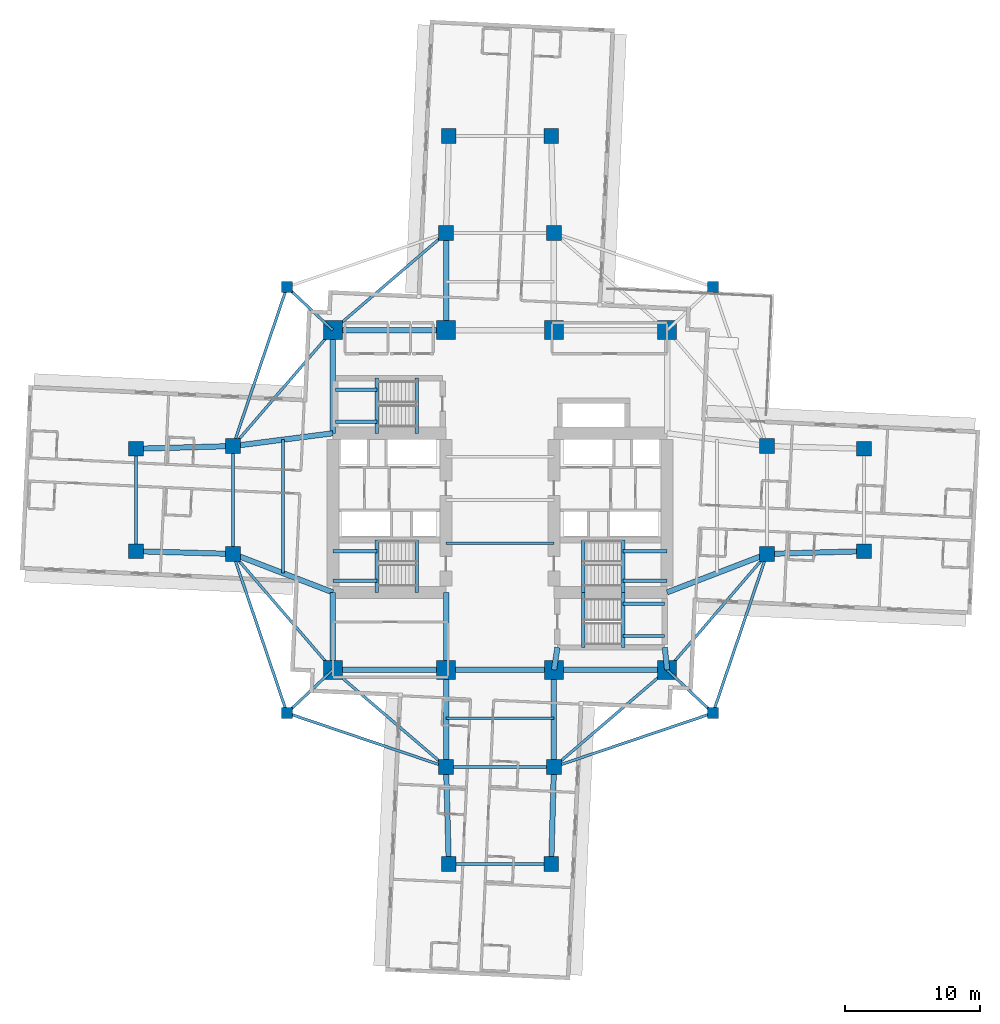
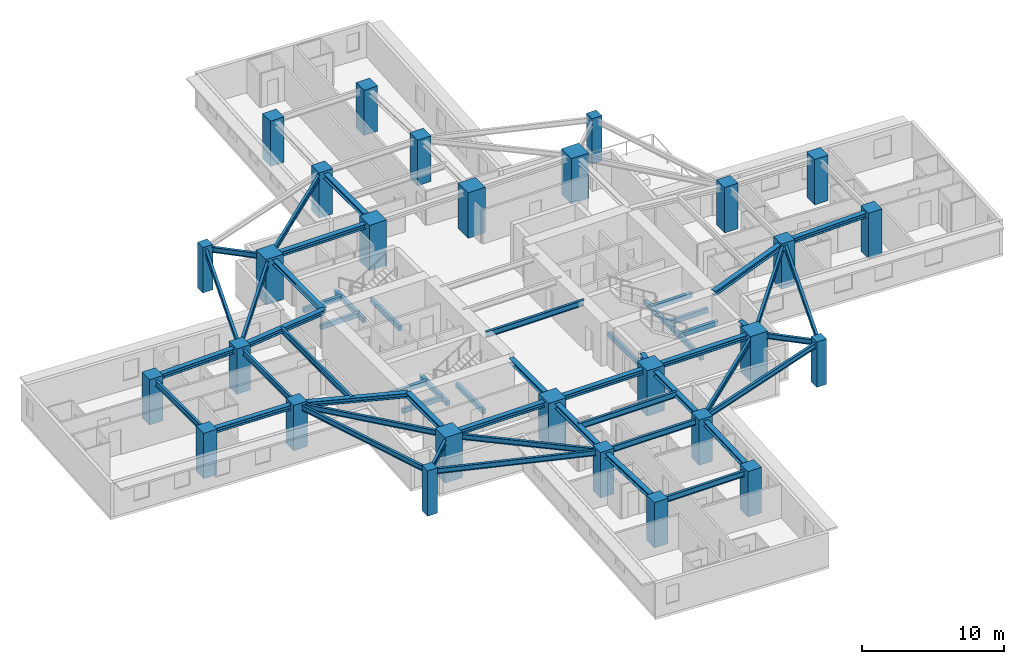
# One storey, part 1 of 14: 57 beams, 28 columns.
"""IFC4 building model written with IfcOpenShell, lengths in metres."""

from ifc_helpers import new_model, si_unit, direction, frame, origin, origin_2d, place, context, subcontext, project, spatial, rectangle, i_section, extrude, material, material_profile, profile_set, type_object, element, save


model = new_model("IFC4")

# Units and contexts
model_context = context("Model", 3, precision=1e-05, world=origin(), true_north=direction((0.0, 1.0)))
body_context = subcontext(model_context, "Body", "Model", "MODEL_VIEW")
ifc_project = project(units=[si_unit("LENGTHUNIT", "METRE"), si_unit("AREAUNIT", "SQUARE_METRE"), si_unit("VOLUMEUNIT", "CUBIC_METRE"), si_unit("PLANEANGLEUNIT", "RADIAN"), si_unit("MASSUNIT", "GRAM", prefix="KILO")], contexts=[model_context])

# Site, building, storey
site_placement = place(None, origin())
site = spatial("IfcSite", under=ifc_project, at=site_placement, CompositionType="ELEMENT")
building_placement = place(site_placement, origin())
building = spatial("IfcBuilding", under=site, at=building_placement, Name="Qingluan Cross Belvedere", CompositionType="ELEMENT")
storey_placement = place(building_placement, frame((0.0, 0.0, 75.60009765625)))
storey = spatial("IfcBuildingStorey", under=building, at=storey_placement, Name="L19", CompositionType="ELEMENT", Elevation=75.60009765625)

# Columns
ifc_material_1 = material(Name="Concrete C60", Category="concrete")
ifc_material_profile_1 = material_profile(ifc_material_1, rectangle(XDim=1.10009765625, YDim=1.10009765625, at=origin_2d()), Name="RC1100x1100")
ifc_profile_set_1 = profile_set([ifc_material_profile_1], Name="Concrete C60")
column_type_1 = type_object("IfcColumnType", Name="Column_RC1100x1100", PredefinedType="COLUMN", material=ifc_profile_set_1)
for number, where, z_axis, x_axis, name in (
    (1, (19.800048828125, -4.0, 0.0), (0.0, 0.0, 1.0), (1.0, 0.0, 0.0), "Arm column L19-EIA"),
    (2, (19.800048828125, 4.0, 0.0), (0.0, 0.0, 1.0), (1.0, 0.0, 0.0), "Arm column L19-EIB"),
    (3, (-19.800048828125, -4.0, 0.0), (0.0, 0.0, 1.0), (1.0, 0.0, 0.0), "Arm column L19-WIA"),
    (4, (-19.800048828125, 4.0, 0.0), (0.0, 0.0, 1.0), (1.0, 0.0, 0.0), "Arm column L19-WIB"),
    (5, (-4.0, -19.800048828125, 0.0), (0.0, 0.0, 1.0), (1.0, 0.0, 0.0), "Arm column L19-SIA"),
    (6, (4.0, -19.800048828125, 0.0), (0.0, 0.0, 1.0), (1.0, 0.0, 0.0), "Arm column L19-SIB"),
    (7, (-4.0, 19.800048828125, 0.0), (0.0, 0.0, 1.0), (1.0, 0.0, 0.0), "Arm column L19-NIA"),
    (8, (4.0, 19.800048828125, 0.0), (0.0, 0.0, 1.0), (1.0, 0.0, 0.0), "Arm column L19-NIB"),
    (9, (27.0, -3.800048828125, 0.0), (0.0, 0.0, 1.0), (1.0, 0.0, 0.0), "Arm column L19-EOA"),
    (10, (27.0, 3.800048828125, 0.0), (0.0, 0.0, 1.0), (1.0, 0.0, 0.0), "Arm column L19-EOB"),
    (11, (-27.0, -3.800048828125, 0.0), (0.0, 0.0, 1.0), (1.0, 0.0, 0.0), "Arm column L19-WOA"),
    (12, (-27.0, 3.800048828125, 0.0), (0.0, 0.0, 1.0), (1.0, 0.0, 0.0), "Arm column L19-WOB"),
    (13, (-3.800048828125, -27.0, 0.0), (0.0, 0.0, 1.0), (1.0, 0.0, 0.0), "Arm column L19-SOA"),
    (14, (3.800048828125, -27.0, 0.0), (0.0, 0.0, 1.0), (1.0, 0.0, 0.0), "Arm column L19-SOB"),
    (15, (-3.800048828125, 27.0, 0.0), (0.0, 0.0, 1.0), (1.0, 0.0, 0.0), "Arm column L19-NOA"),
    (16, (3.800048828125, 27.0, 0.0), (0.0, 0.0, 1.0), (1.0, 0.0, 0.0), "Arm column L19-NOB"),
):
    element("IfcColumn", number, at=place(storey_placement, frame(where, z_axis=z_axis, x_axis=x_axis)), inside=storey, type_object=column_type_1, Name=name, PredefinedType="COLUMN", context=body_context, shape_type="SweptSolid", body=[
        extrude(rectangle(XDim=1.10009765625, YDim=1.10009765625, at=origin_2d()), origin(), (0.0, 0.0, 1.0), 3.89990234375),
    ])
ifc_material_2 = material(Name="Concrete C70", Category="concrete")
ifc_material_profile_2 = material_profile(ifc_material_2, rectangle(XDim=1.39990234375, YDim=1.39990234375, at=origin_2d()), Name="RC1400x1400")
ifc_profile_set_2 = profile_set([ifc_material_profile_2], Name="Concrete C70")
column_type_2 = type_object("IfcColumnType", Name="Column_RC1400x1400", PredefinedType="COLUMN", material=ifc_profile_set_2)
for number, where, z_axis, x_axis, name in (
    (17, (-12.39990234375, -12.60009765625, 0.0), (0.0, 0.0, 1.0), (1.0, 0.0, 0.0), "Hub column L19-HC1"),
    (18, (12.39990234375, -12.60009765625, 0.0), (0.0, 0.0, 1.0), (1.0, 0.0, 0.0), "Hub column L19-HC2"),
    (19, (12.39990234375, 12.60009765625, 0.0), (0.0, 0.0, 1.0), (1.0, 0.0, 0.0), "Hub column L19-HC3"),
    (20, (-12.39990234375, 12.60009765625, 0.0), (0.0, 0.0, 1.0), (1.0, 0.0, 0.0), "Hub column L19-HC4"),
    (21, (-4.0, -12.60009765625, 0.0), (0.0, 0.0, 1.0), (1.0, 0.0, 0.0), "Hub column L19-HC5"),
    (22, (4.0, -12.60009765625, 0.0), (0.0, 0.0, 1.0), (1.0, 0.0, 0.0), "Hub column L19-HC6"),
    (23, (4.0, 12.60009765625, 0.0), (0.0, 0.0, 1.0), (1.0, 0.0, 0.0), "Hub column L19-HC7"),
    (24, (-4.0, 12.60009765625, 0.0), (0.0, 0.0, 1.0), (1.0, 0.0, 0.0), "Hub column L19-HC8"),
):
    element("IfcColumn", number, at=place(storey_placement, frame(where, z_axis=z_axis, x_axis=x_axis)), inside=storey, type_object=column_type_2, Name=name, PredefinedType="COLUMN", context=body_context, shape_type="SweptSolid", body=[
        extrude(rectangle(XDim=1.39990234375, YDim=1.39990234375, at=origin_2d()), origin(), (0.0, 0.0, 1.0), 3.89990234375),
    ])
ifc_material_3 = material(Name="Concrete C50", Category="concrete")
ifc_material_profile_3 = material_profile(ifc_material_3, rectangle(XDim=0.800048828125, YDim=0.800048828125, at=origin_2d()), Name="RC800x800")
ifc_profile_set_3 = profile_set([ifc_material_profile_3], Name="Concrete C50")
column_type_3 = type_object("IfcColumnType", Name="Column_RC800x800", PredefinedType="COLUMN", material=ifc_profile_set_3)
for number, where, z_axis, x_axis, name in (
    (25, (15.800048828125, 15.800048828125, 0.0), (0.0, 0.0, 1.0), (1.0, 0.0, 0.0), "Corner column L19-RNE"),
    (26, (-15.800048828125, 15.800048828125, 0.0), (0.0, 0.0, 1.0), (1.0, 0.0, 0.0), "Corner column L19-RNW"),
    (27, (-15.800048828125, -15.800048828125, 0.0), (0.0, 0.0, 1.0), (1.0, 0.0, 0.0), "Corner column L19-RSW"),
    (28, (15.800048828125, -15.800048828125, 0.0), (0.0, 0.0, 1.0), (1.0, 0.0, 0.0), "Corner column L19-RSE"),
):
    element("IfcColumn", number, at=place(storey_placement, frame(where, z_axis=z_axis, x_axis=x_axis)), inside=storey, type_object=column_type_3, Name=name, PredefinedType="COLUMN", context=body_context, shape_type="SweptSolid", body=[
        extrude(rectangle(XDim=0.800048828125, YDim=0.800048828125, at=origin_2d()), origin(), (0.0, 0.0, 1.0), 3.89990234375),
    ])

# Beams
ifc_material_4 = material(Name="Concrete C45", Category="concrete")
ifc_material_profile_4 = material_profile(ifc_material_4, rectangle(XDim=0.25, YDim=0.39990234375, at=origin_2d()), Name="RC250x400")
ifc_profile_set_4 = profile_set([ifc_material_profile_4], Name="Concrete C45")
beam_type_1 = type_object("IfcBeamType", Name="RC_Lintel_RC250x400", PredefinedType="LINTEL", material=ifc_profile_set_4)
for number, where, z_axis, x_axis, name in (
    (29, (-6.179931640625, -6.85009765625, -0.2001953125), (0.0, 1.0, 0.0), (-1.0, 0.0, 0.0), "Stair ST1 landing beam L19"),
    (30, (6.179931640625, -6.85009765625, -0.2001953125), (0.0, 1.0, 0.0), (-1.0, 0.0, 0.0), "Stair ST2 landing beam L19"),
):
    element("IfcBeam", number, at=place(storey_placement, frame(where, z_axis=z_axis, x_axis=x_axis)), inside=storey, type_object=beam_type_1, Name=name, PredefinedType="LINTEL", context=body_context, shape_type="SweptSolid", body=[
        extrude(rectangle(XDim=0.25, YDim=0.39990234375, at=origin_2d()), origin(), (0.0, 0.0, 1.0), 3.89013671875),
    ])
beam_1_placement = place(storey_placement, frame((-6.179931640625, 4.949951171875, -0.2001953125), z_axis=(0.0, 1.0, 0.0), x_axis=(-1.0, 0.0, 0.0)))
element("IfcBeam", 31, at=beam_1_placement, inside=storey, type_object=beam_type_1, Name="Stair ST3 landing beam L19", PredefinedType="LINTEL", context=body_context, shape_type="SweptSolid", body=[
    extrude(rectangle(XDim=0.25, YDim=0.39990234375, at=origin_2d()), origin(), (0.0, 0.0, 1.0), 4.090087890625),
])
beam_2_placement = place(storey_placement, frame((6.179931640625, -10.93994140625, -0.2001953125), z_axis=(0.0, 1.0, 0.0), x_axis=(-1.0, 0.0, 0.0)))
element("IfcBeam", 32, at=beam_2_placement, inside=storey, type_object=beam_type_1, Name="Stair ST4 landing beam L19", PredefinedType="LINTEL", context=body_context, shape_type="SweptSolid", body=[
    extrude(rectangle(XDim=0.25, YDim=0.39990234375, at=origin_2d()), origin(), (0.0, 0.0, 1.0), 4.08984375),
])
beam_3_placement = place(storey_placement, frame((-9.1298828125, -6.85009765625, 1.5498046875), z_axis=(0.0, 1.0, 0.0), x_axis=(-1.0, 0.0, 0.0)))
element("IfcBeam", 33, at=beam_3_placement, inside=storey, type_object=beam_type_1, Name="Stair ST1 beam A L19", PredefinedType="LINTEL", context=body_context, shape_type="SweptSolid", body=[
    extrude(rectangle(XDim=0.25, YDim=0.39990234375, at=origin_2d()), origin(), (0.0, 0.0, 1.0), 3.89013671875),
])
for number, where, z_axis, x_axis, name in (
    (34, (-12.39990234375, -6.0, 1.5498046875), (1.0, 0.0, 0.0), (0.0, 1.0, 0.0), "Stair ST1 beam B L19"),
    (35, (-12.39990234375, -3.81005859375, 1.5498046875), (1.0, 0.0, 0.0), (0.0, 1.0, 0.0), "Stair ST1 beam C L19"),
):
    element("IfcBeam", number, at=place(storey_placement, frame(where, z_axis=z_axis, x_axis=x_axis)), inside=storey, type_object=beam_type_1, Name=name, PredefinedType="LINTEL", context=body_context, shape_type="SweptSolid", body=[
        extrude(rectangle(XDim=0.25, YDim=0.39990234375, at=origin_2d()), origin(), (0.0, 0.0, 1.0), 3.27001953125),
    ])
beam_4_placement = place(storey_placement, frame((9.1298828125, -6.85009765625, 1.5498046875), z_axis=(0.0, 1.0, 0.0), x_axis=(-1.0, 0.0, 0.0)))
element("IfcBeam", 36, at=beam_4_placement, inside=storey, type_object=beam_type_1, Name="Stair ST2 beam A L19", PredefinedType="LINTEL", context=body_context, shape_type="SweptSolid", body=[
    extrude(rectangle(XDim=0.25, YDim=0.39990234375, at=origin_2d()), origin(), (0.0, 0.0, 1.0), 3.89013671875),
])
for number, where, z_axis, x_axis, name in (
    (37, (12.39990234375, -6.0, 1.5498046875), (-1.0, 0.0, 0.0), (0.0, -1.0, 0.0), "Stair ST2 beam B L19"),
    (38, (12.39990234375, -3.81005859375, 1.5498046875), (-1.0, 0.0, 0.0), (0.0, -1.0, 0.0), "Stair ST2 beam C L19"),
):
    element("IfcBeam", number, at=place(storey_placement, frame(where, z_axis=z_axis, x_axis=x_axis)), inside=storey, type_object=beam_type_1, Name=name, PredefinedType="LINTEL", context=body_context, shape_type="SweptSolid", body=[
        extrude(rectangle(XDim=0.25, YDim=0.39990234375, at=origin_2d()), origin(), (0.0, 0.0, 1.0), 3.27001953125),
    ])
beam_5_placement = place(storey_placement, frame((-9.1298828125, 4.949951171875, 1.5498046875), z_axis=(0.0, 1.0, 0.0), x_axis=(-1.0, 0.0, 0.0)))
element("IfcBeam", 39, at=beam_5_placement, inside=storey, type_object=beam_type_1, Name="Stair ST3 beam A L19", PredefinedType="LINTEL", context=body_context, shape_type="SweptSolid", body=[
    extrude(rectangle(XDim=0.25, YDim=0.39990234375, at=origin_2d()), origin(), (0.0, 0.0, 1.0), 4.090087890625),
])
for number, where, z_axis, x_axis, name in (
    (40, (-12.219970703125, 5.800048828125, 1.5498046875), (1.0, 0.0, 0.0), (0.0, 1.0, 0.0), "Stair ST3 beam B L19"),
    (41, (-12.219970703125, 8.18994140625, 1.5498046875), (1.0, 0.0, 0.0), (0.0, 1.0, 0.0), "Stair ST3 beam C L19"),
):
    element("IfcBeam", number, at=place(storey_placement, frame(where, z_axis=z_axis, x_axis=x_axis)), inside=storey, type_object=beam_type_1, Name=name, PredefinedType="LINTEL", context=body_context, shape_type="SweptSolid", body=[
        extrude(rectangle(XDim=0.25, YDim=0.39990234375, at=origin_2d()), origin(), (0.0, 0.0, 1.0), 3.090087890625),
    ])
beam_6_placement = place(storey_placement, frame((9.1298828125, -10.93994140625, 1.5498046875), z_axis=(0.0, 1.0, 0.0), x_axis=(-1.0, 0.0, 0.0)))
element("IfcBeam", 42, at=beam_6_placement, inside=storey, type_object=beam_type_1, Name="Stair ST4 beam A L19", PredefinedType="LINTEL", context=body_context, shape_type="SweptSolid", body=[
    extrude(rectangle(XDim=0.25, YDim=0.39990234375, at=origin_2d()), origin(), (0.0, 0.0, 1.0), 4.08984375),
])
for number, where, z_axis, x_axis, name in (
    (43, (12.219970703125, -10.090087890625, 1.5498046875), (-1.0, 0.0, 0.0), (0.0, -1.0, 0.0), "Stair ST4 beam B L19"),
    (44, (12.219970703125, -7.699951171875, 1.5498046875), (-1.0, 0.0, 0.0), (0.0, -1.0, 0.0), "Stair ST4 beam C L19"),
):
    element("IfcBeam", number, at=place(storey_placement, frame(where, z_axis=z_axis, x_axis=x_axis)), inside=storey, type_object=beam_type_1, Name=name, PredefinedType="LINTEL", context=body_context, shape_type="SweptSolid", body=[
        extrude(rectangle(XDim=0.25, YDim=0.39990234375, at=origin_2d()), origin(), (0.0, 0.0, 1.0), 3.090087890625),
    ])
ifc_material_5 = material(Name="Steel Q420GJB", Category="steel")
ifc_material_profile_5 = material_profile(ifc_material_5, i_section(OverallWidth=0.199951171875, OverallDepth=0.449951171875, WebThickness=0.009033203125, FlangeThickness=0.013916015625, FilletRadius=0.01611328125, at=origin_2d()), Name="HN450x200x9x14")
ifc_profile_set_5 = profile_set([ifc_material_profile_5], Name="Steel Q420GJB")
beam_type_2 = type_object("IfcBeamType", Name="Steel_Beam_HN450x200x9x14", PredefinedType="JOIST", material=ifc_profile_set_5)
beam_7_placement = place(storey_placement, frame((-12.39990234375, 12.60009765625, 3.474853515625), z_axis=(-0.728219948308, 0.685343495546, 0.0), x_axis=(-0.685343495546, -0.728219948308, 0.0)))
element("IfcBeam", 45, at=beam_7_placement, inside=storey, type_object=beam_type_2, Name="Corner beam 1 L19-RNW", PredefinedType="JOIST", context=body_context, shape_type="SweptSolid", body=[
    extrude(i_section(OverallWidth=0.199951171875, OverallDepth=0.449951171875, WebThickness=0.009033203125, FlangeThickness=0.013916015625, FilletRadius=0.01611328125, at=origin_2d()), origin(), (0.0, 0.0, 1.0), 4.669189453125),
])
beam_8_placement = place(storey_placement, frame((-15.800048828125, 15.800048828125, 3.474853515625), z_axis=(-0.321038089628, -0.947066283324, 0.0), x_axis=(0.947066283324, -0.321038089628, 0.0)))
element("IfcBeam", 46, at=beam_8_placement, inside=storey, type_object=beam_type_2, Name="Corner beam 3 L19-RNW", PredefinedType="JOIST", context=body_context, shape_type="SweptSolid", body=[
    extrude(i_section(OverallWidth=0.199951171875, OverallDepth=0.449951171875, WebThickness=0.009033203125, FlangeThickness=0.013916015625, FilletRadius=0.01611328125, at=origin_2d()), origin(), (0.0, 0.0, 1.0), 12.45947265625),
])
beam_9_placement = place(storey_placement, frame((-12.39990234375, 12.60009765625, 3.474853515625), z_axis=(-0.652245077546, -0.75800815221, 0.0), x_axis=(0.75800815221, -0.652245077546, 0.0)))
element("IfcBeam", 47, at=beam_9_placement, inside=storey, type_object=beam_type_2, Name="Corner beam 4 L19-RNW", PredefinedType="JOIST", context=body_context, shape_type="SweptSolid", body=[
    extrude(i_section(OverallWidth=0.199951171875, OverallDepth=0.449951171875, WebThickness=0.009033203125, FlangeThickness=0.013916015625, FilletRadius=0.01611328125, at=origin_2d()), origin(), (0.0, 0.0, 1.0), 11.345703125),
])
beam_10_placement = place(storey_placement, frame((-12.39990234375, 12.60009765625, 3.474853515625), z_axis=(0.759255044656, 0.650793190779, 0.0), x_axis=(-0.650793190779, 0.759255044656, 0.0)))
element("IfcBeam", 48, at=beam_10_placement, inside=storey, type_object=beam_type_2, Name="Corner beam 5 L19-RNW", PredefinedType="JOIST", context=body_context, shape_type="SweptSolid", body=[
    extrude(i_section(OverallWidth=0.199951171875, OverallDepth=0.449951171875, WebThickness=0.009033203125, FlangeThickness=0.013916015625, FilletRadius=0.01611328125, at=origin_2d()), origin(), (0.0, 0.0, 1.0), 11.063232421875),
])
beam_11_placement = place(storey_placement, frame((-12.39990234375, -12.60009765625, 3.474853515625), z_axis=(-0.728219948308, -0.685343495546, 0.0), x_axis=(0.685343495546, -0.728219948308, 0.0)))
element("IfcBeam", 49, at=beam_11_placement, inside=storey, type_object=beam_type_2, Name="Corner beam 1 L19-RSW", PredefinedType="JOIST", context=body_context, shape_type="SweptSolid", body=[
    extrude(i_section(OverallWidth=0.199951171875, OverallDepth=0.449951171875, WebThickness=0.009033203125, FlangeThickness=0.013916015625, FilletRadius=0.01611328125, at=origin_2d()), origin(), (0.0, 0.0, 1.0), 4.669189453125),
])
for number, where, z_axis, x_axis, name in (
    (50, (-15.800048828125, -15.800048828125, 3.474853515625), (0.947066283324, -0.321038089628, 0.0), (0.321038089628, 0.947066283324, 0.0), "Corner beam 2 L19-RSW"),
    (51, (-15.800048828125, -15.800048828125, 3.474853515625), (-0.321038089628, 0.947066283324, 0.0), (-0.947066283324, -0.321038089628, 0.0), "Corner beam 3 L19-RSW"),
):
    element("IfcBeam", number, at=place(storey_placement, frame(where, z_axis=z_axis, x_axis=x_axis)), inside=storey, type_object=beam_type_2, Name=name, PredefinedType="JOIST", context=body_context, shape_type="SweptSolid", body=[
        extrude(i_section(OverallWidth=0.199951171875, OverallDepth=0.449951171875, WebThickness=0.009033203125, FlangeThickness=0.013916015625, FilletRadius=0.01611328125, at=origin_2d()), origin(), (0.0, 0.0, 1.0), 12.45947265625),
    ])
beam_12_placement = place(storey_placement, frame((-12.39990234375, -12.60009765625, 3.474853515625), z_axis=(-0.652245077546, 0.75800815221, 0.0), x_axis=(-0.75800815221, -0.652245077546, 0.0)))
element("IfcBeam", 52, at=beam_12_placement, inside=storey, type_object=beam_type_2, Name="Corner beam 4 L19-RSW", PredefinedType="JOIST", context=body_context, shape_type="SweptSolid", body=[
    extrude(i_section(OverallWidth=0.199951171875, OverallDepth=0.449951171875, WebThickness=0.009033203125, FlangeThickness=0.013916015625, FilletRadius=0.01611328125, at=origin_2d()), origin(), (0.0, 0.0, 1.0), 11.345703125),
])
beam_13_placement = place(storey_placement, frame((-12.39990234375, -12.60009765625, 3.474853515625), z_axis=(0.759255044656, -0.650793190779, 0.0), x_axis=(0.650793190779, 0.759255044656, 0.0)))
element("IfcBeam", 53, at=beam_13_placement, inside=storey, type_object=beam_type_2, Name="Corner beam 5 L19-RSW", PredefinedType="JOIST", context=body_context, shape_type="SweptSolid", body=[
    extrude(i_section(OverallWidth=0.199951171875, OverallDepth=0.449951171875, WebThickness=0.009033203125, FlangeThickness=0.013916015625, FilletRadius=0.01611328125, at=origin_2d()), origin(), (0.0, 0.0, 1.0), 11.063232421875),
])
beam_14_placement = place(storey_placement, frame((12.39990234375, -12.60009765625, 3.474853515625), z_axis=(0.728219948308, -0.685343495546, 0.0), x_axis=(0.685343495546, 0.728219948308, 0.0)))
element("IfcBeam", 54, at=beam_14_placement, inside=storey, type_object=beam_type_2, Name="Corner beam 1 L19-RSE", PredefinedType="JOIST", context=body_context, shape_type="SweptSolid", body=[
    extrude(i_section(OverallWidth=0.199951171875, OverallDepth=0.449951171875, WebThickness=0.009033203125, FlangeThickness=0.013916015625, FilletRadius=0.01611328125, at=origin_2d()), origin(), (0.0, 0.0, 1.0), 4.669189453125),
])
for number, where, z_axis, x_axis, name in (
    (55, (15.800048828125, -15.800048828125, 3.474853515625), (-0.947066283324, -0.321038089628, 0.0), (0.321038089628, -0.947066283324, 0.0), "Corner beam 2 L19-RSE"),
    (56, (15.800048828125, -15.800048828125, 3.474853515625), (0.321038089628, 0.947066283324, 0.0), (-0.947066283324, 0.321038089628, 0.0), "Corner beam 3 L19-RSE"),
):
    element("IfcBeam", number, at=place(storey_placement, frame(where, z_axis=z_axis, x_axis=x_axis)), inside=storey, type_object=beam_type_2, Name=name, PredefinedType="JOIST", context=body_context, shape_type="SweptSolid", body=[
        extrude(i_section(OverallWidth=0.199951171875, OverallDepth=0.449951171875, WebThickness=0.009033203125, FlangeThickness=0.013916015625, FilletRadius=0.01611328125, at=origin_2d()), origin(), (0.0, 0.0, 1.0), 12.45947265625),
    ])
beam_15_placement = place(storey_placement, frame((12.39990234375, -12.60009765625, 3.474853515625), z_axis=(0.652245077546, 0.75800815221, 0.0), x_axis=(-0.75800815221, 0.652245077546, 0.0)))
element("IfcBeam", 57, at=beam_15_placement, inside=storey, type_object=beam_type_2, Name="Corner beam 4 L19-RSE", PredefinedType="JOIST", context=body_context, shape_type="SweptSolid", body=[
    extrude(i_section(OverallWidth=0.199951171875, OverallDepth=0.449951171875, WebThickness=0.009033203125, FlangeThickness=0.013916015625, FilletRadius=0.01611328125, at=origin_2d()), origin(), (0.0, 0.0, 1.0), 11.345703125),
])
beam_16_placement = place(storey_placement, frame((12.39990234375, -12.60009765625, 3.474853515625), z_axis=(-0.759255044656, -0.650793190779, 0.0), x_axis=(0.650793190779, -0.759255044656, 0.0)))
element("IfcBeam", 58, at=beam_16_placement, inside=storey, type_object=beam_type_2, Name="Corner beam 5 L19-RSE", PredefinedType="JOIST", context=body_context, shape_type="SweptSolid", body=[
    extrude(i_section(OverallWidth=0.199951171875, OverallDepth=0.449951171875, WebThickness=0.009033203125, FlangeThickness=0.013916015625, FilletRadius=0.01611328125, at=origin_2d()), origin(), (0.0, 0.0, 1.0), 11.063232421875),
])
ifc_material_6 = material(Name="Steel Q420GJB", Category="steel")
ifc_material_profile_6 = material_profile(ifc_material_6, i_section(OverallWidth=0.199951171875, OverallDepth=0.5, WebThickness=0.010009765625, FlangeThickness=0.01611328125, FilletRadius=0.01611328125, at=origin_2d()), Name="HN500x200x10x16")
ifc_profile_set_6 = profile_set([ifc_material_profile_6], Name="Steel Q420GJB")
beam_type_3 = type_object("IfcBeamType", Name="Steel_Beam_HN500x200x10x16", PredefinedType="JOIST", material=ifc_profile_set_6)
for number, where, z_axis, x_axis, name in (
    (59, (-4.0, -3.199951171875, 3.449951171875), (1.0, 0.0, 0.0), (0.0, 1.0, 0.0), "Hall beam L19-CH1"),
    (60, (-19.800048828125, -4.0, 3.449951171875), (0.0, 1.0, 0.0), (-1.0, 0.0, 0.0), "Arm W tie L19"),
):
    element("IfcBeam", number, at=place(storey_placement, frame(where, z_axis=z_axis, x_axis=x_axis)), inside=storey, type_object=beam_type_3, Name=name, PredefinedType="JOIST", context=body_context, shape_type="SweptSolid", body=[
        extrude(i_section(OverallWidth=0.199951171875, OverallDepth=0.5, WebThickness=0.010009765625, FlangeThickness=0.01611328125, FilletRadius=0.01611328125, at=origin_2d()), origin(), (0.0, 0.0, 1.0), 8.0),
    ])
beam_17_placement = place(storey_placement, frame((-16.10009765625, -5.425048828125, 3.449951171875), z_axis=(0.0, 1.0, 0.0), x_axis=(-1.0, 0.0, 0.0)))
element("IfcBeam", 61, at=beam_17_placement, inside=storey, type_object=beam_type_3, Name="Arm W beam L19", PredefinedType="JOIST", context=body_context, shape_type="SweptSolid", body=[
    extrude(i_section(OverallWidth=0.199951171875, OverallDepth=0.5, WebThickness=0.010009765625, FlangeThickness=0.01611328125, FilletRadius=0.01611328125, at=origin_2d()), origin(), (0.0, 0.0, 1.0), 9.900146484375),
])
beam_18_placement = place(storey_placement, frame((-27.0, -3.800048828125, 3.449951171875), z_axis=(0.0, 1.0, 0.0), x_axis=(-1.0, 0.0, 0.0)))
element("IfcBeam", 62, at=beam_18_placement, inside=storey, type_object=beam_type_3, Name="Arm W tip transverse beam L19", PredefinedType="JOIST", context=body_context, shape_type="SweptSolid", body=[
    extrude(i_section(OverallWidth=0.199951171875, OverallDepth=0.5, WebThickness=0.010009765625, FlangeThickness=0.01611328125, FilletRadius=0.01611328125, at=origin_2d()), origin(), (0.0, 0.0, 1.0), 7.60009765625),
])
for number, where, z_axis, x_axis, name in (
    (63, (-4.0, -19.800048828125, 3.449951171875), (1.0, 0.0, 0.0), (0.0, 1.0, 0.0), "Arm S tie L19"),
    (64, (-4.0, -16.199951171875, 3.449951171875), (1.0, 0.0, 0.0), (0.0, 1.0, 0.0), "Arm S beam L19"),
):
    element("IfcBeam", number, at=place(storey_placement, frame(where, z_axis=z_axis, x_axis=x_axis)), inside=storey, type_object=beam_type_3, Name=name, PredefinedType="JOIST", context=body_context, shape_type="SweptSolid", body=[
        extrude(i_section(OverallWidth=0.199951171875, OverallDepth=0.5, WebThickness=0.010009765625, FlangeThickness=0.01611328125, FilletRadius=0.01611328125, at=origin_2d()), origin(), (0.0, 0.0, 1.0), 8.0),
    ])
beam_19_placement = place(storey_placement, frame((-3.800048828125, -27.0, 3.449951171875), z_axis=(1.0, 0.0, 0.0), x_axis=(0.0, 1.0, 0.0)))
element("IfcBeam", 65, at=beam_19_placement, inside=storey, type_object=beam_type_3, Name="Arm S tip transverse beam L19", PredefinedType="JOIST", context=body_context, shape_type="SweptSolid", body=[
    extrude(i_section(OverallWidth=0.199951171875, OverallDepth=0.5, WebThickness=0.010009765625, FlangeThickness=0.01611328125, FilletRadius=0.01611328125, at=origin_2d()), origin(), (0.0, 0.0, 1.0), 7.60009765625),
])
ifc_material_7 = material(Name="Steel Q420GJB", Category="steel")
ifc_material_profile_7 = material_profile(ifc_material_7, i_section(OverallWidth=0.39990234375, OverallDepth=0.39990234375, WebThickness=0.012939453125, FlangeThickness=0.02099609375, FilletRadius=0.02197265625, at=origin_2d()), Name="HW400x400x13x21")
ifc_profile_set_7 = profile_set([ifc_material_profile_7], Name="Steel Q420GJB")
beam_type_4 = type_object("IfcBeamType", Name="Steel_Girder_HW400x400x13x21", PredefinedType="USERDEFINED", material=ifc_profile_set_7)
beam_20_placement = place(storey_placement, frame((-12.39990234375, -12.60009765625, 3.5), z_axis=(1.0, 0.0, 0.0), x_axis=(0.0, 1.0, 0.0)))
element("IfcBeam", 66, at=beam_20_placement, inside=storey, type_object=beam_type_4, Name="Hub girder L19-HG-S1", ObjectType="GIRDER", PredefinedType="USERDEFINED", context=body_context, shape_type="SweptSolid", body=[
    extrude(i_section(OverallWidth=0.39990234375, OverallDepth=0.39990234375, WebThickness=0.012939453125, FlangeThickness=0.02099609375, FilletRadius=0.02197265625, at=origin_2d()), origin(), (0.0, 0.0, 1.0), 8.39990234375),
])
beam_21_placement = place(storey_placement, frame((-4.0, -12.60009765625, 3.5), z_axis=(1.0, 0.0, 0.0), x_axis=(0.0, 1.0, 0.0)))
element("IfcBeam", 67, at=beam_21_placement, inside=storey, type_object=beam_type_4, Name="Hub girder L19-HG-S2", ObjectType="GIRDER", PredefinedType="USERDEFINED", context=body_context, shape_type="SweptSolid", body=[
    extrude(i_section(OverallWidth=0.39990234375, OverallDepth=0.39990234375, WebThickness=0.012939453125, FlangeThickness=0.02099609375, FilletRadius=0.02197265625, at=origin_2d()), origin(), (0.0, 0.0, 1.0), 8.0),
])
for number, where, z_axis, x_axis, name in (
    (68, (4.0, -12.60009765625, 3.5), (1.0, 0.0, 0.0), (0.0, 1.0, 0.0), "Hub girder L19-HG-S3"),
    (69, (-12.39990234375, 12.60009765625, 3.5), (1.0, 0.0, 0.0), (0.0, 1.0, 0.0), "Hub girder L19-HG-N1"),
):
    element("IfcBeam", number, at=place(storey_placement, frame(where, z_axis=z_axis, x_axis=x_axis)), inside=storey, type_object=beam_type_4, Name=name, ObjectType="GIRDER", PredefinedType="USERDEFINED", context=body_context, shape_type="SweptSolid", body=[
        extrude(i_section(OverallWidth=0.39990234375, OverallDepth=0.39990234375, WebThickness=0.012939453125, FlangeThickness=0.02099609375, FilletRadius=0.02197265625, at=origin_2d()), origin(), (0.0, 0.0, 1.0), 8.39990234375),
    ])
beam_22_placement = place(storey_placement, frame((-12.39990234375, -12.60009765625, 3.5), z_axis=(0.0, 1.0, 0.0), x_axis=(-1.0, 0.0, 0.0)))
element("IfcBeam", 70, at=beam_22_placement, inside=storey, type_object=beam_type_4, Name="Hub girder L19-HG-W1", ObjectType="GIRDER", PredefinedType="USERDEFINED", context=body_context, shape_type="SweptSolid", body=[
    extrude(i_section(OverallWidth=0.39990234375, OverallDepth=0.39990234375, WebThickness=0.012939453125, FlangeThickness=0.02099609375, FilletRadius=0.02197265625, at=origin_2d()), origin(), (0.0, 0.0, 1.0), 5.75),
])
beam_23_placement = place(storey_placement, frame((-12.39990234375, 4.949951171875, 3.5), z_axis=(0.0, 1.0, 0.0), x_axis=(-1.0, 0.0, 0.0)))
element("IfcBeam", 71, at=beam_23_placement, inside=storey, type_object=beam_type_4, Name="Hub girder L19-HG-W2", ObjectType="GIRDER", PredefinedType="USERDEFINED", context=body_context, shape_type="SweptSolid", body=[
    extrude(i_section(OverallWidth=0.39990234375, OverallDepth=0.39990234375, WebThickness=0.012939453125, FlangeThickness=0.02099609375, FilletRadius=0.02197265625, at=origin_2d()), origin(), (0.0, 0.0, 1.0), 7.650146484375),
])
beam_24_placement = place(storey_placement, frame((12.39990234375, -12.60009765625, 3.5), z_axis=(-0.107751337451, 0.994177876075, 0.0), x_axis=(-0.994177876075, -0.107751337451, 0.0)))
element("IfcBeam", 72, at=beam_24_placement, inside=storey, type_object=beam_type_4, Name="Hub girder L19-HG-E1", ObjectType="GIRDER", PredefinedType="USERDEFINED", context=body_context, shape_type="SweptSolid", body=[
    extrude(i_section(OverallWidth=0.39990234375, OverallDepth=0.39990234375, WebThickness=0.012939453125, FlangeThickness=0.02099609375, FilletRadius=0.02197265625, at=origin_2d()), origin(), (0.0, 0.0, 1.0), 1.669921875),
])
beam_25_placement = place(storey_placement, frame((-4.0, -12.60009765625, 3.5), z_axis=(0.0, 1.0, 0.0), x_axis=(-1.0, 0.0, 0.0)))
element("IfcBeam", 73, at=beam_25_placement, inside=storey, type_object=beam_type_4, Name="Hub girder L19-HG-CW", ObjectType="GIRDER", PredefinedType="USERDEFINED", context=body_context, shape_type="SweptSolid", body=[
    extrude(i_section(OverallWidth=0.39990234375, OverallDepth=0.39990234375, WebThickness=0.012939453125, FlangeThickness=0.02099609375, FilletRadius=0.02197265625, at=origin_2d()), origin(), (0.0, 0.0, 1.0), 5.75),
])
beam_26_placement = place(storey_placement, frame((4.0, -12.60009765625, 3.5), z_axis=(0.154731433337, 0.987956569662, 0.0), x_axis=(-0.987956569662, 0.154731433337, 0.0)))
element("IfcBeam", 74, at=beam_26_placement, inside=storey, type_object=beam_type_4, Name="Hub girder L19-HG-CE", ObjectType="GIRDER", PredefinedType="USERDEFINED", context=body_context, shape_type="SweptSolid", body=[
    extrude(i_section(OverallWidth=0.39990234375, OverallDepth=0.39990234375, WebThickness=0.012939453125, FlangeThickness=0.02099609375, FilletRadius=0.02197265625, at=origin_2d()), origin(), (0.0, 0.0, 1.0), 1.680419921875),
])
beam_27_placement = place(storey_placement, frame((12.39990234375, -6.85009765625, 3.5), z_axis=(0.933181258889, 0.359406090735, 0.0), x_axis=(-0.359406090735, 0.933181258889, 0.0)))
element("IfcBeam", 75, at=beam_27_placement, inside=storey, type_object=beam_type_4, Name="Arm E radial girder A L19", ObjectType="GIRDER", PredefinedType="USERDEFINED", context=body_context, shape_type="SweptSolid", body=[
    extrude(i_section(OverallWidth=0.39990234375, OverallDepth=0.39990234375, WebThickness=0.012939453125, FlangeThickness=0.02099609375, FilletRadius=0.02197265625, at=origin_2d()), origin(), (0.0, 0.0, 1.0), 7.929931640625),
])
beam_28_placement = place(storey_placement, frame((19.800048828125, -4.0, 3.5), z_axis=(0.999614603568, 0.027760481514, 0.0), x_axis=(-0.027760481514, 0.999614603568, 0.0)))
element("IfcBeam", 76, at=beam_28_placement, inside=storey, type_object=beam_type_4, Name="Arm E outer radial girder A L19", ObjectType="GIRDER", PredefinedType="USERDEFINED", context=body_context, shape_type="SweptSolid", body=[
    extrude(i_section(OverallWidth=0.39990234375, OverallDepth=0.39990234375, WebThickness=0.012939453125, FlangeThickness=0.02099609375, FilletRadius=0.02197265625, at=origin_2d()), origin(), (0.0, 0.0, 1.0), 7.20263671875),
])
beam_29_placement = place(storey_placement, frame((-12.39990234375, -6.85009765625, 3.5), z_axis=(-0.933181258889, 0.359406090735, 0.0), x_axis=(-0.359406090735, -0.933181258889, 0.0)))
element("IfcBeam", 77, at=beam_29_placement, inside=storey, type_object=beam_type_4, Name="Arm W radial girder A L19", ObjectType="GIRDER", PredefinedType="USERDEFINED", context=body_context, shape_type="SweptSolid", body=[
    extrude(i_section(OverallWidth=0.39990234375, OverallDepth=0.39990234375, WebThickness=0.012939453125, FlangeThickness=0.02099609375, FilletRadius=0.02197265625, at=origin_2d()), origin(), (0.0, 0.0, 1.0), 7.929931640625),
])
beam_30_placement = place(storey_placement, frame((-12.39990234375, 4.949951171875, 3.5), z_axis=(-0.991861120628, -0.12732445714, 0.0), x_axis=(0.12732445714, -0.991861120628, 0.0)))
element("IfcBeam", 78, at=beam_30_placement, inside=storey, type_object=beam_type_4, Name="Arm W radial girder B L19", ObjectType="GIRDER", PredefinedType="USERDEFINED", context=body_context, shape_type="SweptSolid", body=[
    extrude(i_section(OverallWidth=0.39990234375, OverallDepth=0.39990234375, WebThickness=0.012939453125, FlangeThickness=0.02099609375, FilletRadius=0.02197265625, at=origin_2d()), origin(), (0.0, 0.0, 1.0), 7.4609375),
])
for number, where, z_axis, x_axis, name in (
    (79, (-19.800048828125, -4.0, 3.5), (-0.999614603568, 0.027760481514, 0.0), (-0.027760481514, -0.999614603568, 0.0), "Arm W outer radial girder A L19"),
    (80, (-19.800048828125, 4.0, 3.5), (-0.999614603568, -0.027760481514, 0.0), (0.027760481514, -0.999614603568, 0.0), "Arm W outer radial girder B L19"),
):
    element("IfcBeam", number, at=place(storey_placement, frame(where, z_axis=z_axis, x_axis=x_axis)), inside=storey, type_object=beam_type_4, Name=name, ObjectType="GIRDER", PredefinedType="USERDEFINED", context=body_context, shape_type="SweptSolid", body=[
        extrude(i_section(OverallWidth=0.39990234375, OverallDepth=0.39990234375, WebThickness=0.012939453125, FlangeThickness=0.02099609375, FilletRadius=0.02197265625, at=origin_2d()), origin(), (0.0, 0.0, 1.0), 7.20263671875),
    ])
for number, where, z_axis, x_axis, name in (
    (81, (-4.0, 12.60009765625, 3.5), (0.0, 1.0, 0.0), (-1.0, 0.0, 0.0), "Arm N radial girder A L19"),
    (82, (-4.0, -12.60009765625, 3.5), (0.0, -1.0, 0.0), (1.0, 0.0, 0.0), "Arm S radial girder A L19"),
    (83, (4.0, -12.60009765625, 3.5), (0.0, -1.0, 0.0), (1.0, 0.0, 0.0), "Arm S radial girder B L19"),
):
    element("IfcBeam", number, at=place(storey_placement, frame(where, z_axis=z_axis, x_axis=x_axis)), inside=storey, type_object=beam_type_4, Name=name, ObjectType="GIRDER", PredefinedType="USERDEFINED", context=body_context, shape_type="SweptSolid", body=[
        extrude(i_section(OverallWidth=0.39990234375, OverallDepth=0.39990234375, WebThickness=0.012939453125, FlangeThickness=0.02099609375, FilletRadius=0.02197265625, at=origin_2d()), origin(), (0.0, 0.0, 1.0), 7.199951171875),
    ])
for number, where, z_axis, x_axis, name in (
    (84, (-4.0, -19.800048828125, 3.5), (0.027760481514, -0.999614603568, 0.0), (0.999614603568, 0.027760481514, 0.0), "Arm S outer radial girder A L19"),
    (85, (4.0, -19.800048828125, 3.5), (-0.027760481514, -0.999614603568, 0.0), (0.999614603568, -0.027760481514, 0.0), "Arm S outer radial girder B L19"),
):
    element("IfcBeam", number, at=place(storey_placement, frame(where, z_axis=z_axis, x_axis=x_axis)), inside=storey, type_object=beam_type_4, Name=name, ObjectType="GIRDER", PredefinedType="USERDEFINED", context=body_context, shape_type="SweptSolid", body=[
        extrude(i_section(OverallWidth=0.39990234375, OverallDepth=0.39990234375, WebThickness=0.012939453125, FlangeThickness=0.02099609375, FilletRadius=0.02197265625, at=origin_2d()), origin(), (0.0, 0.0, 1.0), 7.20263671875),
    ])

save(model, "model.ifc")
